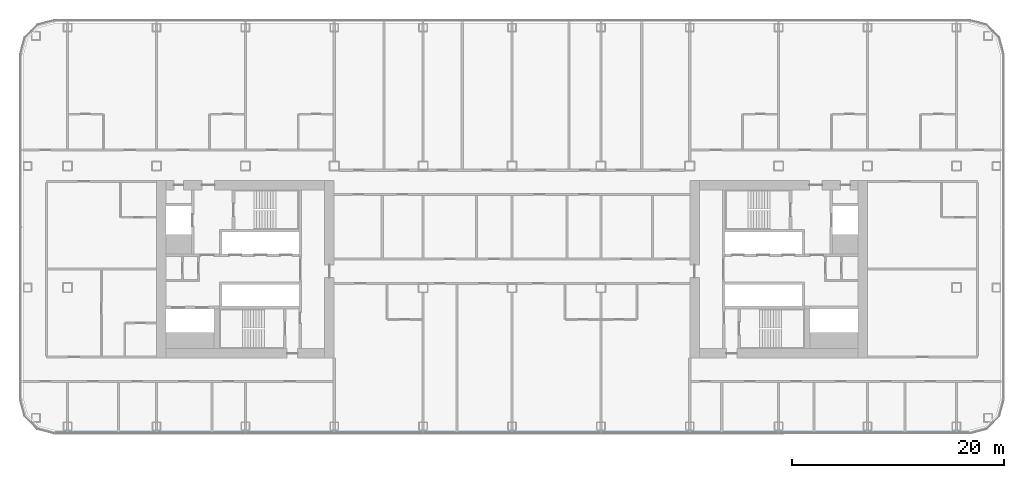
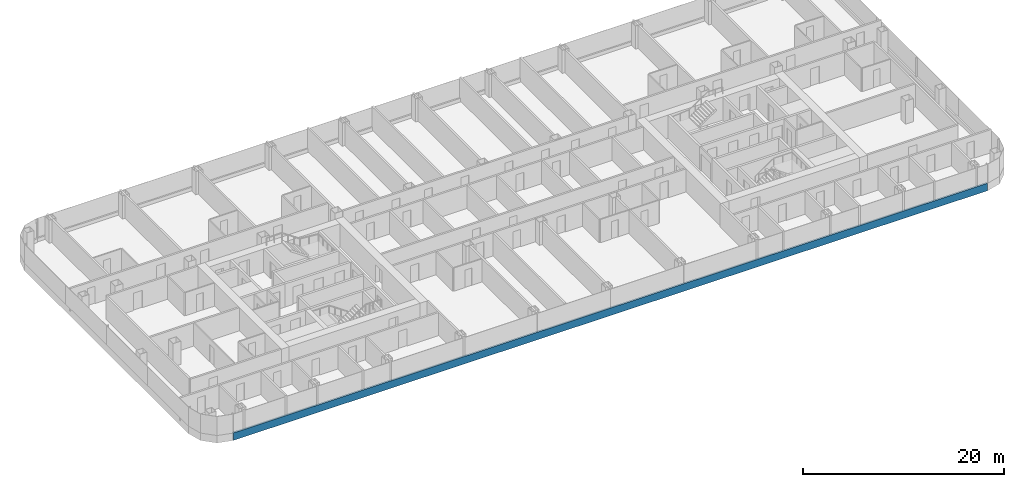
# One storey, part 5 of 29: 1 member, 1 element without a shape of its own.
"""IFC4 building model written with IfcOpenShell, lengths in metres."""

from ifc_helpers import new_model, si_unit, direction, frame, origin, origin_2d, place, context, subcontext, project, spatial, rectangle, extrude, material, layer, layer_set, material_profile, profile_set, type_object, element, aggregate, save


model = new_model("IFC4")

# Units and contexts
model_context = context("Model", 3, precision=1e-05, world=origin(), true_north=direction((0.0, 1.0)))
body_context = subcontext(model_context, "Body", "Model", "MODEL_VIEW")
ifc_project = project(units=[si_unit("LENGTHUNIT", "METRE"), si_unit("AREAUNIT", "SQUARE_METRE"), si_unit("VOLUMEUNIT", "CUBIC_METRE"), si_unit("PLANEANGLEUNIT", "RADIAN"), si_unit("MASSUNIT", "GRAM", prefix="KILO")], contexts=[model_context])

# Site, building, storey
site_placement = place(None, origin())
site = spatial("IfcSite", under=ifc_project, at=site_placement, CompositionType="ELEMENT")
building_placement = place(site_placement, origin())
building = spatial("IfcBuilding", under=site, at=building_placement, Name="Hakoniwa Tower and Hamabe Station Hall", CompositionType="ELEMENT")
storey_placement = place(building_placement, frame((0.0, 0.0, 91.39990234375)))
storey = spatial("IfcBuildingStorey", under=building, at=storey_placement, Name="L25", CompositionType="ELEMENT", Elevation=91.39990234375)

# Curtain wall, member
ifc_material_1 = material(Name="Dark low-e laminated glass", Category="glass")
ifc_layer = layer(ifc_material_1, 0.199951171875)
ifc_layer_set = layer_set([ifc_layer], Name="CW-1 UNITISED GUEST")
curtain_wall_type = type_object("IfcCurtainWallType", Name="CW-1 UNITISED GUEST", PredefinedType="NOTDEFINED", material=ifc_layer_set)
curtain_wall_placement = place(storey_placement, origin())
curtain_wall = element("IfcCurtainWall", 1, at=curtain_wall_placement, inside=storey, type_object=curtain_wall_type, Name="CW-1 curtain wall", PredefinedType="NOTDEFINED")
ifc_material_2 = material(Name="Aluminium 6063-T5 black anodised", Category="aluminium")
ifc_material_profile = material_profile(ifc_material_2, rectangle(XDim=0.199951171875, YDim=0.89990234375, at=origin_2d()), Name="CW SLAB-EDGE BAND 900X200")
ifc_profile_set = profile_set([ifc_material_profile], Name="Aluminium 6063-T5 black anodised")
member_type = type_object("IfcMemberType", Name="CW SLAB-EDGE BAND 900X200", PredefinedType="USERDEFINED", material=ifc_profile_set)
member_placement = place(storey_placement, frame((-43.239501953125, -15.449951171875, -0.099853515625), z_axis=(1.0, 0.0, 0.0), x_axis=(0.0, 1.0, 0.0)))
member = element("IfcMember", 2, at=member_placement, type_object=member_type, Name="CW-1 transom", ObjectType="TRANSOM", PredefinedType="USERDEFINED", context=body_context, shape_type="SweptSolid", body=[
    extrude(rectangle(XDim=0.199951171875, YDim=0.89990234375, at=origin_2d()), origin(), (0.0, 0.0, 1.0), 86.47900390625),
])
aggregate(curtain_wall, [member])

save(model, "model.ifc")
